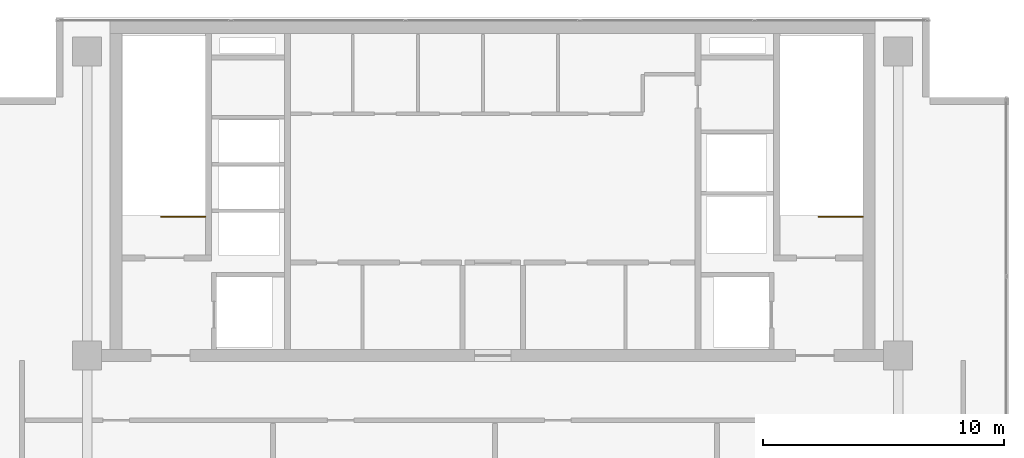
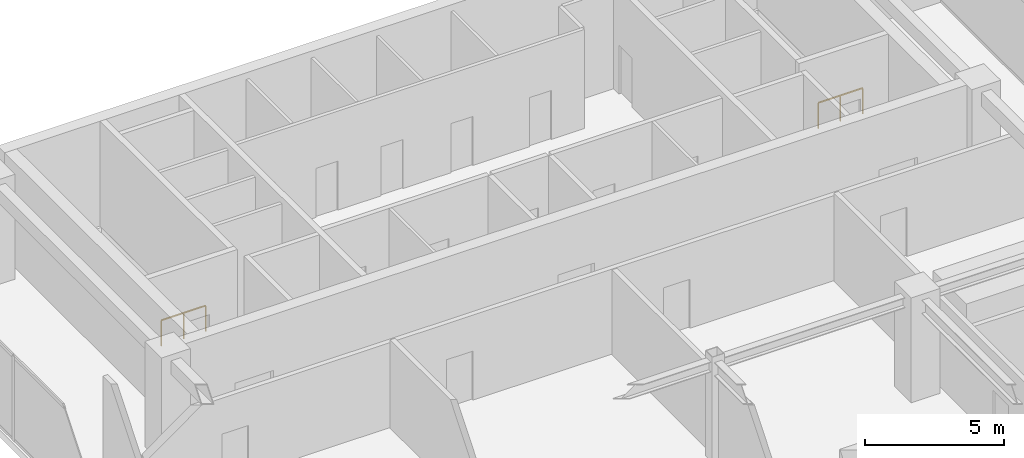
# One storey, part 18 of 19: 2 railings.
"""IFC4 building model written with IfcOpenShell, lengths in metres."""

from ifc_helpers import new_model, si_unit, direction, frame, origin, origin_2d, place, context, subcontext, project, spatial, rectangle, extrude, material, type_object, element, save


model = new_model("IFC4")

# Units and contexts
model_context = context("Model", 3, precision=1e-05, world=origin(), true_north=direction((0.0, 1.0)))
body_context = subcontext(model_context, "Body", "Model", "MODEL_VIEW")
ifc_project = project(units=[si_unit("LENGTHUNIT", "METRE"), si_unit("AREAUNIT", "SQUARE_METRE"), si_unit("VOLUMEUNIT", "CUBIC_METRE"), si_unit("PLANEANGLEUNIT", "RADIAN"), si_unit("MASSUNIT", "GRAM", prefix="KILO")], contexts=[model_context])

# Site, building, storey
site_placement = place(None, origin())
site = spatial("IfcSite", under=ifc_project, at=site_placement, CompositionType="ELEMENT")
building_placement = place(site_placement, origin())
building = spatial("IfcBuilding", under=site, at=building_placement, Name="Sumidabori Civic Tower", CompositionType="ELEMENT")
storey_placement = place(building_placement, frame((0.0, 0.0, 293.60009765625)))
storey = spatial("IfcBuildingStorey", under=building, at=storey_placement, Name="L77", CompositionType="ELEMENT", Elevation=293.60009765625)

# Railings
ifc_material = material(Name="Steel SN490", Category="steel")
railing_type = type_object("IfcRailingType", Name="RL-STAIR-GUARD", PredefinedType="GUARDRAIL", material=ifc_material)
for number, where, name in (
    (1, (-11.89990234375, 15.949951171875, 0.0), "L77 ST-1 top well guard 1"),
    (2, (15.340087890625, 15.949951171875, 0.0), "L77 ST-2 top well guard 1"),
):
    element("IfcRailing", number, at=place(storey_placement, frame(where)), inside=storey, type_object=railing_type, Name=name, PredefinedType="GUARDRAIL", context=body_context, shape_type="SweptSolid", body=[
        extrude(rectangle(XDim=0.048095703125, YDim=0.048095703125, at=origin_2d()), frame((0.0, 0.0, 1.1259765625), z_axis=(-1.0, 0.0, 0.0), x_axis=(0.0, -1.0, 0.0)), (0.0, 0.0, 1.0), 1.840087890625),
        extrude(rectangle(XDim=0.0419921875, YDim=0.0419921875, at=origin_2d()), origin(), (0.0, 0.0, 1.0), 1.101806640625),
        extrude(rectangle(XDim=0.0419921875, YDim=0.0419921875, at=origin_2d()), frame((-0.919921875, 0.0, 0.0)), (0.0, 0.0, 1.0), 1.101806640625),
        extrude(rectangle(XDim=0.0419921875, YDim=0.0419921875, at=origin_2d()), frame((-1.840087890625, 0.0, 0.0)), (0.0, 0.0, 1.0), 1.101806640625),
    ])

save(model, "model.ifc")
